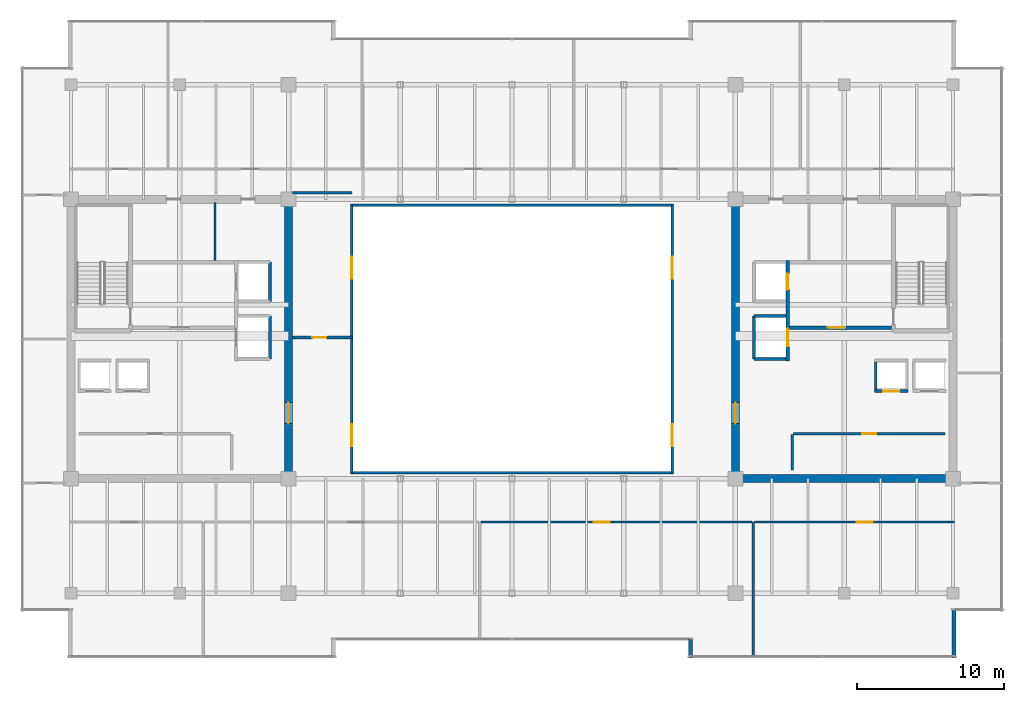
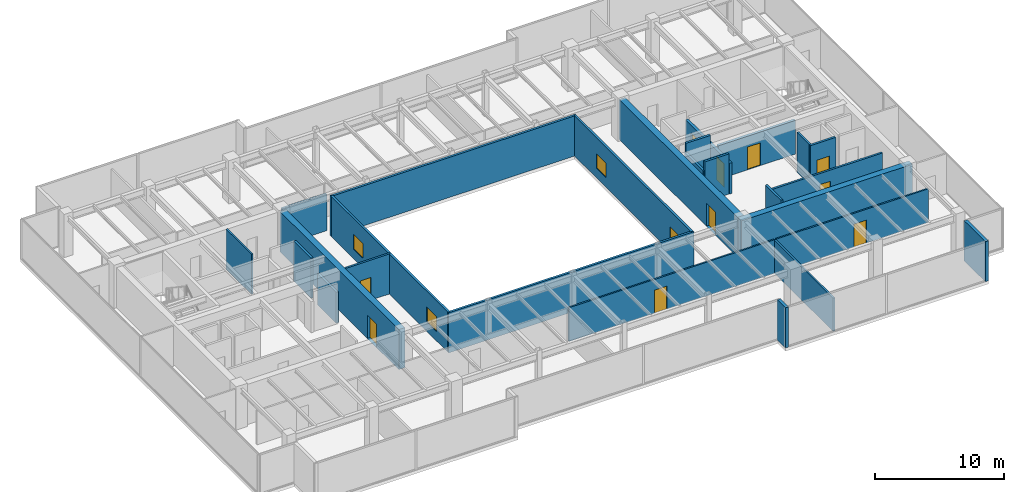
# One storey, part 29 of 33: 26 walls, 10 doors, 4 windows, 14 openings.
"""IFC4 building model written with IfcOpenShell, lengths in metres."""

from ifc_helpers import new_model, si_unit, direction, frame, frame_2d, origin, place, context, subcontext, project, spatial, rectangle, extrude, source, transform, mapped, material, layer, layer_set, type_object, type_shapes, element, fill, save


model = new_model("IFC4")

# Units and contexts
model_context = context("Model", 3, precision=1e-05, world=origin(), true_north=direction((0.0, 1.0)))
body_context = subcontext(model_context, "Body", "Model", "MODEL_VIEW")
ifc_project = project(units=[si_unit("LENGTHUNIT", "METRE"), si_unit("AREAUNIT", "SQUARE_METRE"), si_unit("VOLUMEUNIT", "CUBIC_METRE"), si_unit("PLANEANGLEUNIT", "RADIAN"), si_unit("MASSUNIT", "GRAM", prefix="KILO")], contexts=[model_context])

# Site, building, storey
site_placement = place(None, origin())
site = spatial("IfcSite", under=ifc_project, at=site_placement, CompositionType="ELEMENT")
building_placement = place(site_placement, origin())
building = spatial("IfcBuilding", under=site, at=building_placement, Name="Haelvirn Gate Laboratories", CompositionType="ELEMENT")
storey_placement = place(building_placement, frame((0.0, 0.0, 217.800048828125)))
storey = spatial("IfcBuildingStorey", under=building, at=storey_placement, Name="L52", CompositionType="ELEMENT", Elevation=217.800048828125)

# Walls
ifc_material_1 = material(Name="Thermally-broken bronze aluminium rainscreen & mineral wool", Category="aluminium")
ifc_layer_1 = layer(ifc_material_1, 0.280029296875, Name="EW-TERR-280")
ifc_layer_set_1 = layer_set([ifc_layer_1], Name="Thermally-broken bronze aluminium rainscreen & mineral wool")
wall_type_1 = type_object("IfcWallType", Name="EW-TERR-280", PredefinedType="STANDARD", material=ifc_layer_set_1)
wall_1_placement = place(storey_placement, frame((49.5400390625, 3.89306640625, 0.0), z_axis=(0.0, 0.0, 1.0), x_axis=(0.0, -1.0, 0.0)))
element("IfcWall", 1, at=wall_1_placement, inside=storey, type_object=wall_type_1, Name="L52 Atrium Recess Bronze Return Wall 03", PredefinedType="STANDARD", context=body_context, shape_type="SweptSolid", body=[
    extrude(rectangle(XDim=1.29296875, YDim=0.280029296875, at=frame_2d((0.646484375, 0.0))), origin(), (0.0, 0.0, 1.0), 3.800048828125),
])
wall_2_placement = place(storey_placement, frame((67.4599609375, 2.60009765625, 0.0), z_axis=(0.0, 0.0, 1.0), x_axis=(0.0, 1.0, 0.0)))
element("IfcWall", 2, at=wall_2_placement, inside=storey, type_object=wall_type_1, Name="L52 Atrium Recess Bronze Return Wall 05", PredefinedType="STANDARD", context=body_context, shape_type="SweptSolid", body=[
    extrude(rectangle(XDim=3.287841796875, YDim=0.280029296875, at=frame_2d((1.64404296875, 0.0))), origin(), (0.0, 0.0, 1.0), 3.800048828125),
])
ifc_material_2 = material(Name="Double-layer acoustic gypsum laboratory partition", Category="gypsum")
ifc_layer_2 = layer(ifc_material_2, 0.159912109375, Name="IW-ACOUST-160")
ifc_layer_set_2 = layer_set([ifc_layer_2], Name="Double-layer acoustic gypsum laboratory partition")
wall_type_2 = type_object("IfcWallType", Name="IW-ACOUST-160", PredefinedType="PARTITIONING", material=ifc_layer_set_2)
wall_3_placement = place(storey_placement, frame((53.800048828125, 2.7099609375, 0.0), z_axis=(0.0, 0.0, 1.0), x_axis=(0.0, 1.0, 0.0)))
element("IfcWall", 3, at=wall_3_placement, inside=storey, type_object=wall_type_2, Name="L52 Interior Wall IW-L52-SDIV-03", PredefinedType="PARTITIONING", context=body_context, shape_type="SweptSolid", body=[
    extrude(rectangle(XDim=9.130126953125, YDim=0.159912109375, at=frame_2d((4.56494140625, 0.0))), origin(), (0.0, 0.0, 1.0), 3.135009765625),
])
ifc_material_3 = material(Name="Fire-rated acoustic gypsum board partition", Category="gypsum")
ifc_layer_3 = layer(ifc_material_3, 0.175048828125, Name="IW-ACOUST-180")
ifc_layer_set_3 = layer_set([ifc_layer_3], Name="Fire-rated acoustic gypsum board partition")
wall_type_3 = type_object("IfcWallType", Name="IW-ACOUST-180", PredefinedType="PARTITIONING", material=ifc_layer_set_3)
wall_4_placement = place(storey_placement, frame((22.47509765625, 34.260009765625, 0.0), z_axis=(0.0, 0.0, 1.0), x_axis=(1.0, 0.0, 0.0)))
element("IfcWall", 4, at=wall_4_placement, inside=storey, type_object=wall_type_3, Name="L52 Interior Wall IW-L52-WPOD-N", PredefinedType="PARTITIONING", context=body_context, shape_type="SweptSolid", body=[
    extrude(rectangle(XDim=4.02490234375, YDim=0.175048828125, at=frame_2d((2.012451171875, 0.0))), origin(), (0.0, 0.0, 1.0), 3.48486328125),
])

# Wall, opening, door
wall_5_placement = place(storey_placement, frame((22.47509765625, 24.39990234375, 0.0), z_axis=(0.0, 0.0, 1.0), x_axis=(1.0, 0.0, 0.0)))
wall_5 = element("IfcWall", 5, at=wall_5_placement, inside=storey, type_object=wall_type_3, Name="L52 Interior Wall IW-L52-WPOD-S", PredefinedType="PARTITIONING", context=body_context, shape_type="SweptSolid", body=[
    extrude(rectangle(XDim=4.02490234375, YDim=0.175048828125, at=frame_2d((2.012451171875, 0.0))), origin(), (0.0, 0.0, 1.0), 3.800048828125),
])
opening_1_placement = place(wall_5_placement, frame((1.35009765625, 0.0, 0.0)))
opening_1 = element("IfcOpeningElement", 6, at=opening_1_placement, cuts=wall_5, Name="Opening FD4", PredefinedType="OPENING", context=body_context, shape_type="SweptSolid", body=[
    extrude(rectangle(XDim=0.949951171875, YDim=2.14990234375, at=frame_2d((0.47509765625, 1.074951171875))), frame((0.0, 0.09765625, 0.0), z_axis=(0.0, -1.0, 0.0), x_axis=(1.0, 0.0, 0.0)), (0.0, 0.0, 1.0), 0.195068359375),
])
ifc_material_4 = material(Name="Fire-rated steel SM355 core service door", Category="steel")
door_type_1 = type_object("IfcDoorType", Name="DR-FD-950", OperationType="NOTDEFINED", PredefinedType="DOOR", material=ifc_material_4)
shared_shape_1 = source(origin(), body_context, "Body", "SweptSolid", [
    extrude(rectangle(XDim=0.949951171875, YDim=2.14990234375, at=frame_2d((0.47509765625, 1.074951171875))), frame((0.0, 0.02490234375, 0.0), z_axis=(0.0, -1.0, 0.0), x_axis=(1.0, 0.0, 0.0)), (0.0, 0.0, 1.0), 0.050048828125),
])
type_shapes(door_type_1, [shared_shape_1])
door_1_placement = place(opening_1_placement, origin())
door_1 = element("IfcDoor", 7, at=door_1_placement, inside=storey, type_object=door_type_1, Name="L52 High-Zone Computational Suite Door", OperationType="SINGLE_SWING_RIGHT", OverallHeight=2.14990234375, OverallWidth=0.949951171875, PredefinedType="DOOR", context=body_context, shape_type="MappedRepresentation", body=[
    mapped(shared_shape_1, transform((0.0, 0.0, 0.0), scale=1.0)),
])
fill(opening_1, door_1)

# Wall, openings, windows
ifc_material_5 = material(Name="Tempered fire-rated borosilicate glass & anodised aluminium", Category="aluminium")
ifc_layer_4 = layer(ifc_material_5, 0.195068359375, Name="IW-GLAZ-200")
ifc_layer_set_4 = layer_set([ifc_layer_4], Name="Tempered fire-rated borosilicate glass & anodised aluminium")
wall_type_4 = type_object("IfcWallType", Name="IW-GLAZ-200", PredefinedType="SOLIDWALL", material=ifc_layer_set_4)
wall_6_placement = place(storey_placement, frame((26.5, 15.199951171875, 0.0), z_axis=(0.0, 0.0, 1.0), x_axis=(0.0, 1.0, 0.0)))
wall_6 = element("IfcWall", 8, at=wall_6_placement, inside=storey, type_object=wall_type_4, Name="L52 Interior Wall IW-L52-ATRIUM-W", PredefinedType="SOLIDWALL", context=body_context, shape_type="SweptSolid", body=[
    extrude(rectangle(XDim=18.199951171875, YDim=0.195068359375, at=frame_2d((9.10009765625, 0.0))), origin(), (0.0, 0.0, 1.0), 3.800048828125),
])
opening_2_placement = place(wall_6_placement, frame((1.800048828125, 0.0, 0.89990234375)))
opening_2 = element("IfcOpeningElement", 9, at=opening_2_placement, cuts=wall_6, Name="Opening W5", PredefinedType="OPENING", context=body_context, shape_type="SweptSolid", body=[
    extrude(rectangle(XDim=1.5, YDim=1.39990234375, at=frame_2d((0.75, 0.699951171875))), frame((0.0, 0.107421875, 0.0), z_axis=(0.0, -1.0, 0.0), x_axis=(1.0, 0.0, 0.0)), (0.0, 0.0, 1.0), 0.215087890625),
])
opening_3_placement = place(wall_6_placement, frame((13.199951171875, 0.0, 0.89990234375)))
opening_3 = element("IfcOpeningElement", 10, at=opening_3_placement, cuts=wall_6, Name="Opening W5", PredefinedType="OPENING", context=body_context, shape_type="SweptSolid", body=[
    extrude(rectangle(XDim=1.5, YDim=1.39990234375, at=frame_2d((0.75, 0.699951171875))), frame((0.0, 0.107421875, 0.0), z_axis=(0.0, -1.0, 0.0), x_axis=(1.0, 0.0, 0.0)), (0.0, 0.0, 1.0), 0.215087890625),
])
ifc_material_6 = material(Name="Fire-rated EI 120 borosilicate atrium vision glazing", Category="glass")
window_type = type_object("IfcWindowType", Name="WN-ATR-1500", PartitioningType="SINGLE_PANEL", PredefinedType="WINDOW", material=ifc_material_6)
shared_shape_2 = source(origin(), body_context, "Body", "SweptSolid", [
    extrude(rectangle(XDim=1.5, YDim=1.39990234375, at=frame_2d((0.75, 0.699951171875))), frame((0.0, 0.030029296875, 0.0), z_axis=(0.0, -1.0, 0.0), x_axis=(1.0, 0.0, 0.0)), (0.0, 0.0, 1.0), 0.06005859375),
])
type_shapes(window_type, [shared_shape_2])
window_1_placement = place(opening_2_placement, origin())
window_1 = element("IfcWindow", 11, at=window_1_placement, inside=storey, type_object=window_type, Name="L52 Atrium Observation Window 1", OverallHeight=1.39990234375, OverallWidth=1.5, PartitioningType="SINGLE_PANEL", PredefinedType="WINDOW", context=body_context, shape_type="MappedRepresentation", body=[
    mapped(shared_shape_2, transform((0.0, 0.0, 0.0), scale=1.0)),
])
fill(opening_2, window_1)
window_2_placement = place(opening_3_placement, origin())
window_2 = element("IfcWindow", 12, at=window_2_placement, inside=storey, type_object=window_type, Name="L52 Atrium Observation Window 2", OverallHeight=1.39990234375, OverallWidth=1.5, PartitioningType="SINGLE_PANEL", PredefinedType="WINDOW", context=body_context, shape_type="MappedRepresentation", body=[
    mapped(shared_shape_2, transform((0.0, 0.0, 0.0), scale=1.0)),
])
fill(opening_3, window_2)

wall_7_placement = place(storey_placement, frame((48.300048828125, 15.199951171875, 0.0), z_axis=(0.0, 0.0, 1.0), x_axis=(0.0, 1.0, 0.0)))
wall_7 = element("IfcWall", 13, at=wall_7_placement, inside=storey, type_object=wall_type_4, Name="L52 Interior Wall IW-L52-ATRIUM-E", PredefinedType="SOLIDWALL", context=body_context, shape_type="SweptSolid", body=[
    extrude(rectangle(XDim=18.199951171875, YDim=0.195068359375, at=frame_2d((9.10009765625, 0.0))), origin(), (0.0, 0.0, 1.0), 3.800048828125),
])
opening_4_placement = place(wall_7_placement, frame((1.800048828125, 0.0, 0.89990234375)))
opening_4 = element("IfcOpeningElement", 14, at=opening_4_placement, cuts=wall_7, Name="Opening W5", PredefinedType="OPENING", context=body_context, shape_type="SweptSolid", body=[
    extrude(rectangle(XDim=1.5, YDim=1.39990234375, at=frame_2d((0.75, 0.699951171875))), frame((0.0, 0.107421875, 0.0), z_axis=(0.0, -1.0, 0.0), x_axis=(1.0, 0.0, 0.0)), (0.0, 0.0, 1.0), 0.215087890625),
])
opening_5_placement = place(wall_7_placement, frame((13.199951171875, 0.0, 0.89990234375)))
opening_5 = element("IfcOpeningElement", 15, at=opening_5_placement, cuts=wall_7, Name="Opening W5", PredefinedType="OPENING", context=body_context, shape_type="SweptSolid", body=[
    extrude(rectangle(XDim=1.5, YDim=1.39990234375, at=frame_2d((0.75, 0.699951171875))), frame((0.0, 0.107421875, 0.0), z_axis=(0.0, -1.0, 0.0), x_axis=(1.0, 0.0, 0.0)), (0.0, 0.0, 1.0), 0.215087890625),
])
window_3_placement = place(opening_4_placement, origin())
window_3 = element("IfcWindow", 16, at=window_3_placement, inside=storey, type_object=window_type, Name="L52 Atrium Observation Window 1", OverallHeight=1.39990234375, OverallWidth=1.5, PartitioningType="SINGLE_PANEL", PredefinedType="WINDOW", context=body_context, shape_type="MappedRepresentation", body=[
    mapped(shared_shape_2, transform((0.0, 0.0, 0.0), scale=1.0)),
])
fill(opening_4, window_3)
window_4_placement = place(opening_5_placement, origin())
window_4 = element("IfcWindow", 17, at=window_4_placement, inside=storey, type_object=window_type, Name="L52 Atrium Observation Window 2", OverallHeight=1.39990234375, OverallWidth=1.5, PartitioningType="SINGLE_PANEL", PredefinedType="WINDOW", context=body_context, shape_type="MappedRepresentation", body=[
    mapped(shared_shape_2, transform((0.0, 0.0, 0.0), scale=1.0)),
])
fill(opening_5, window_4)

# Walls
for number, where, z_axis, x_axis, name in (
    (18, (26.39990234375, 15.199951171875, 0.0), (0.0, 0.0, 1.0), (1.0, 0.0, 0.0), "L52 Interior Wall IW-L52-ATRIUM-S"),
    (19, (26.39990234375, 33.39990234375, 0.0), (0.0, 0.0, 1.0), (1.0, 0.0, 0.0), "L52 Interior Wall IW-L52-ATRIUM-N"),
):
    element("IfcWall", number, at=place(storey_placement, frame(where, z_axis=z_axis, x_axis=x_axis)), inside=storey, type_object=wall_type_4, Name=name, PredefinedType="SOLIDWALL", context=body_context, shape_type="SweptSolid", body=[
        extrude(rectangle(XDim=22.0, YDim=0.195068359375, at=frame_2d((11.0, 0.0))), origin(), (0.0, 0.0, 1.0), 3.800048828125),
    ])

# Wall, opening, door
ifc_material_7 = material(Name="Acoustic mineral-wool gypsum board partition", Category="gypsum")
ifc_layer_5 = layer(ifc_material_7, 0.139892578125, Name="IW-PART-140")
ifc_layer_set_5 = layer_set([ifc_layer_5], Name="Acoustic mineral-wool gypsum board partition")
wall_type_5 = type_object("IfcWallType", Name="IW-PART-140", PredefinedType="PARTITIONING", material=ifc_layer_set_5)
wall_8_placement = place(storey_placement, frame((35.280029296875, 11.840087890625, 0.0), z_axis=(0.0, 0.0, 1.0), x_axis=(1.0, 0.0, 0.0)))
wall_8 = element("IfcWall", 20, at=wall_8_placement, inside=storey, type_object=wall_type_5, Name="L52 Interior Wall IW-L52-SCORR-03", PredefinedType="PARTITIONING", context=body_context, shape_type="SweptSolid", body=[
    extrude(rectangle(XDim=18.43994140625, YDim=0.139892578125, at=frame_2d((9.219970703125, 0.0))), origin(), (0.0, 0.0, 1.0), 3.197021484375),
])
opening_6_placement = place(wall_8_placement, frame((7.671630859375, 0.0, 0.0)))
opening_6 = element("IfcOpeningElement", 21, at=opening_6_placement, cuts=wall_8, Name="Opening D1", PredefinedType="OPENING", context=body_context, shape_type="SweptSolid", body=[
    extrude(rectangle(XDim=1.10009765625, YDim=2.179931640625, at=frame_2d((0.550048828125, 1.08984375))), frame((0.0, 0.080078125, 0.0), z_axis=(0.0, -1.0, 0.0), x_axis=(1.0, 0.0, 0.0)), (0.0, 0.0, 1.0), 0.159912109375),
])
ifc_material_8 = material(Name="Vision-panel acoustic solid-core timber lab door", Category="wood")
door_type_2 = type_object("IfcDoorType", Name="DR-LAB-1100", OperationType="NOTDEFINED", PredefinedType="DOOR", material=ifc_material_8)
shared_shape_3 = source(origin(), body_context, "Body", "SweptSolid", [
    extrude(rectangle(XDim=1.10009765625, YDim=2.179931640625, at=frame_2d((0.550048828125, 1.08984375))), frame((0.0, 0.02490234375, 0.0), z_axis=(0.0, -1.0, 0.0), x_axis=(1.0, 0.0, 0.0)), (0.0, 0.0, 1.0), 0.050048828125),
])
type_shapes(door_type_2, [shared_shape_3])
door_2_placement = place(opening_6_placement, origin())
door_2 = element("IfcDoor", 22, at=door_2_placement, inside=storey, type_object=door_type_2, Name="L52 Peer-Review Seminar Room Door S3", OperationType="SINGLE_SWING_LEFT", OverallHeight=2.179931640625, OverallWidth=1.10009765625, PredefinedType="DOOR", context=body_context, shape_type="MappedRepresentation", body=[
    mapped(shared_shape_3, transform((0.0, 0.0, 0.0), scale=1.0)),
])
fill(opening_6, door_2)

wall_9_placement = place(storey_placement, frame((53.8798828125, 11.840087890625, 0.0), z_axis=(0.0, 0.0, 1.0), x_axis=(1.0, 0.0, 0.0)))
wall_9 = element("IfcWall", 23, at=wall_9_placement, inside=storey, type_object=wall_type_5, Name="L52 Interior Wall IW-L52-SCORR-04", PredefinedType="PARTITIONING", context=body_context, shape_type="SweptSolid", body=[
    extrude(rectangle(XDim=13.610107421875, YDim=0.139892578125, at=frame_2d((6.80517578125, 0.0))), origin(), (0.0, 0.0, 1.0), 3.197021484375),
])
opening_7_placement = place(wall_9_placement, frame((6.963623046875, 0.0, 0.0)))
opening_7 = element("IfcOpeningElement", 24, at=opening_7_placement, cuts=wall_9, Name="Opening D1", PredefinedType="OPENING", context=body_context, shape_type="SweptSolid", body=[
    extrude(rectangle(XDim=1.10009765625, YDim=2.179931640625, at=frame_2d((0.550048828125, 1.08984375))), frame((0.0, 0.080078125, 0.0), z_axis=(0.0, -1.0, 0.0), x_axis=(1.0, 0.0, 0.0)), (0.0, 0.0, 1.0), 0.159912109375),
])
door_3_placement = place(opening_7_placement, origin())
door_3 = element("IfcDoor", 25, at=door_3_placement, inside=storey, type_object=door_type_2, Name="L52 Colloquium Conference Room Door S4", OperationType="SINGLE_SWING_RIGHT", OverallHeight=2.179931640625, OverallWidth=1.10009765625, PredefinedType="DOOR", context=body_context, shape_type="MappedRepresentation", body=[
    mapped(shared_shape_3, transform((0.0, 0.0, 0.0), scale=1.0)),
])
fill(opening_7, door_3)

# Walls
ifc_material_9 = material(Name="Cement-board restroom plumbing chase wall", Category="gypsum")
ifc_layer_6 = layer(ifc_material_9, 0.155029296875, Name="IW-PLUMB-160")
ifc_layer_set_6 = layer_set([ifc_layer_6], Name="Cement-board restroom plumbing chase wall")
wall_type_6 = type_object("IfcWallType", Name="IW-PLUMB-160", PredefinedType="PLUMBINGWALL", material=ifc_layer_set_6)
wall_10_placement = place(storey_placement, frame((17.18994140625, 29.64990234375, 0.0), z_axis=(0.0, 0.0, 1.0), x_axis=(0.0, 1.0, 0.0)))
element("IfcWall", 26, at=wall_10_placement, inside=storey, type_object=wall_type_6, Name="L52 Interior Wall IW-L52-W-CDIV-1", PredefinedType="PLUMBINGWALL", context=body_context, shape_type="SweptSolid", body=[
    extrude(rectangle(XDim=3.93017578125, YDim=0.155029296875, at=frame_2d((1.965087890625, 0.0))), origin(), (0.0, 0.0, 1.0), 3.800048828125),
])
ifc_material_10 = material(Name="Concrete C40/50", Category="concrete")
ifc_layer_7 = layer(ifc_material_10, 0.179931640625, Name="IW-SHAFT-180")
ifc_layer_set_7 = layer_set([ifc_layer_7], Name="Concrete C40/50")
wall_type_7 = type_object("IfcWallType", Name="IW-SHAFT-180", PredefinedType="SOLIDWALL", material=ifc_layer_set_7)
wall_11_placement = place(storey_placement, frame((62.14990234375, 20.85009765625, 0.0), z_axis=(0.0, 0.0, 1.0), x_axis=(0.0, 1.0, 0.0)))
element("IfcWall", 27, at=wall_11_placement, inside=storey, type_object=wall_type_7, Name="L52 Interior Wall IW-L52-PL12-SD", PredefinedType="SOLIDWALL", context=body_context, shape_type="SweptSolid", body=[
    extrude(rectangle(XDim=1.89990234375, YDim=0.179931640625, at=frame_2d((0.949951171875, 0.0))), origin(), (0.0, 0.0, 1.0), 3.800048828125),
])

# Wall, opening, door
wall_12_placement = place(storey_placement, frame((56.550048828125, 17.85009765625, 0.0), z_axis=(0.0, 0.0, 1.0), x_axis=(1.0, 0.0, 0.0)))
wall_12 = element("IfcWall", 28, at=wall_12_placement, inside=storey, type_object=wall_type_7, Name="L52 Interior Wall IW-L52-E-FREED-HN-1", PredefinedType="SOLIDWALL", context=body_context, shape_type="SweptSolid", body=[
    extrude(rectangle(XDim=10.300048828125, YDim=0.179931640625, at=frame_2d((5.14990234375, 0.0))), origin(), (0.0, 0.0, 1.0), 3.197021484375),
])
opening_8_placement = place(wall_12_placement, frame((4.675048828125, 0.0, 0.0)))
opening_8 = element("IfcOpeningElement", 29, at=opening_8_placement, cuts=wall_12, Name="Opening FD4", PredefinedType="OPENING", context=body_context, shape_type="SweptSolid", body=[
    extrude(rectangle(XDim=0.949951171875, YDim=2.14990234375, at=frame_2d((0.47509765625, 1.074951171875))), frame((0.0, 0.10009765625, 0.0), z_axis=(0.0, -1.0, 0.0), x_axis=(1.0, 0.0, 0.0)), (0.0, 0.0, 1.0), 0.199951171875),
])
door_4_placement = place(opening_8_placement, origin())
door_4 = element("IfcDoor", 30, at=door_4_placement, inside=storey, type_object=door_type_1, Name="L52 High-Zone Cryogenic Biobank Vault Door", OperationType="SINGLE_SWING_LEFT", OverallHeight=2.14990234375, OverallWidth=0.949951171875, PredefinedType="DOOR", context=body_context, shape_type="MappedRepresentation", body=[
    mapped(shared_shape_1, transform((0.0, 0.0, 0.0), scale=1.0)),
])
fill(opening_8, door_4)

# Walls
wall_13_placement = place(storey_placement, frame((56.4599609375, 15.39990234375, 0.0), z_axis=(0.0, 0.0, 1.0), x_axis=(0.0, 1.0, 0.0)))
element("IfcWall", 31, at=wall_13_placement, inside=storey, type_object=wall_type_7, Name="L52 Interior Wall IW-L52-E-FREED-HE-1", PredefinedType="SOLIDWALL", context=body_context, shape_type="SweptSolid", body=[
    extrude(rectangle(XDim=2.400146484375, YDim=0.179931640625, at=frame_2d((1.2001953125, 0.0))), origin(), (0.0, 0.0, 1.0), 3.800048828125),
])
ifc_layer_8 = layer(ifc_material_10, 0.199951171875, Name="IW-SHAFT-200")
ifc_layer_set_8 = layer_set([ifc_layer_8], Name="Concrete C40/50")
wall_type_8 = type_object("IfcWallType", Name="IW-SHAFT-200", PredefinedType="SOLIDWALL", material=ifc_layer_set_8)
wall_14_placement = place(storey_placement, frame((20.949951171875, 26.85009765625, 0.0), z_axis=(0.0, 0.0, 1.0), x_axis=(0.0, 1.0, 0.0)))
element("IfcWall", 32, at=wall_14_placement, inside=storey, type_object=wall_type_8, Name="L52 Interior Wall IW-L52-FL1-BK", PredefinedType="SOLIDWALL", context=body_context, shape_type="SweptSolid", body=[
    extrude(rectangle(XDim=2.699951171875, YDim=0.199951171875, at=frame_2d((1.35009765625, 0.0))), origin(), (0.0, 0.0, 1.0), 3.800048828125),
])
wall_15_placement = place(storey_placement, frame((20.949951171875, 22.949951171875, 0.0), z_axis=(0.0, 0.0, 1.0), x_axis=(0.0, 1.0, 0.0)))
element("IfcWall", 33, at=wall_15_placement, inside=storey, type_object=wall_type_8, Name="L52 Interior Wall IW-L52-SL1-BK", PredefinedType="SOLIDWALL", context=body_context, shape_type="SweptSolid", body=[
    extrude(rectangle(XDim=2.900146484375, YDim=0.199951171875, at=frame_2d((1.4501953125, 0.0))), origin(), (0.0, 0.0, 1.0), 2.93505859375),
])

# Wall, opening, door
wall_16_placement = place(storey_placement, frame((62.070068359375, 20.75, 0.0), z_axis=(0.0, 0.0, 1.0), x_axis=(1.0, 0.0, 0.0)))
wall_16 = element("IfcWall", 34, at=wall_16_placement, inside=storey, type_object=wall_type_8, Name="L52 Interior Wall IW-L52-PL12-FR", PredefinedType="SOLIDWALL", context=body_context, shape_type="SweptSolid", body=[
    extrude(rectangle(XDim=2.260009765625, YDim=0.199951171875, at=frame_2d((1.1298828125, 0.0))), origin(), (0.0, 0.0, 1.0), 3.800048828125),
])
opening_9_placement = place(wall_16_placement, frame((0.580078125, 0.0, 0.0)))
opening_9 = element("IfcOpeningElement", 35, at=opening_9_placement, cuts=wall_16, Name="Opening LD2", PredefinedType="OPENING", context=body_context, shape_type="SweptSolid", body=[
    extrude(rectangle(XDim=1.10009765625, YDim=2.219970703125, at=frame_2d((0.550048828125, 1.10986328125))), frame((0.0, 0.10986328125, 0.0), z_axis=(0.0, -1.0, 0.0), x_axis=(1.0, 0.0, 0.0)), (0.0, 0.0, 1.0), 0.219970703125),
])
ifc_material_11 = material(Name="Bronze stainless 316L sliding lift landing door")
door_type_3 = type_object("IfcDoorType", Name="DR-LD-1100", OperationType="NOTDEFINED", PredefinedType="USERDEFINED", material=ifc_material_11)
shared_shape_4 = source(origin(), body_context, "Body", "SweptSolid", [
    extrude(rectangle(XDim=1.10009765625, YDim=2.219970703125, at=frame_2d((0.550048828125, 1.10986328125))), frame((0.0, 0.02490234375, 0.0), z_axis=(0.0, -1.0, 0.0), x_axis=(1.0, 0.0, 0.0)), (0.0, 0.0, 1.0), 0.050048828125),
])
type_shapes(door_type_3, [shared_shape_4])
door_5_placement = place(opening_9_placement, origin())
door_5 = element("IfcDoor", 36, at=door_5_placement, inside=storey, type_object=door_type_3, Name="L52 Passenger Lift PL12 Landing Door", ObjectType="LANDING_DOOR", OperationType="SLIDING_TO_RIGHT", OverallHeight=2.219970703125, OverallWidth=1.10009765625, PredefinedType="USERDEFINED", context=body_context, shape_type="MappedRepresentation", body=[
    mapped(shared_shape_4, transform((0.0, 0.0, 0.0), scale=1.0)),
])
fill(opening_9, door_5)

# Walls
wall_17_placement = place(storey_placement, frame((53.85009765625, 22.949951171875, 0.0), z_axis=(0.0, 0.0, 1.0), x_axis=(0.0, 1.0, 0.0)))
element("IfcWall", 37, at=wall_17_placement, inside=storey, type_object=wall_type_8, Name="L52 Interior Wall IW-L52-SL2-BK", PredefinedType="SOLIDWALL", context=body_context, shape_type="SweptSolid", body=[
    extrude(rectangle(XDim=2.900146484375, YDim=0.199951171875, at=frame_2d((1.4501953125, 0.0))), origin(), (0.0, 0.0, 1.0), 2.93505859375),
])
for number, where, z_axis, x_axis, name in (
    (38, (53.85009765625, 25.85009765625, 0.0), (0.0, 0.0, 1.0), (1.0, 0.0, 0.0), "L52 Interior Wall IW-L52-SL2-N"),
    (39, (53.85009765625, 22.949951171875, 0.0), (0.0, 0.0, 1.0), (1.0, 0.0, 0.0), "L52 Interior Wall IW-L52-SL2-S"),
):
    element("IfcWall", number, at=place(storey_placement, frame(where, z_axis=z_axis, x_axis=x_axis)), inside=storey, type_object=wall_type_8, Name=name, PredefinedType="SOLIDWALL", context=body_context, shape_type="SweptSolid", body=[
        extrude(rectangle(XDim=2.18994140625, YDim=0.199951171875, at=frame_2d((1.094970703125, 0.0))), origin(), (0.0, 0.0, 1.0), 3.800048828125),
    ])

# Wall, opening, door
ifc_layer_9 = layer(ifc_material_10, 0.239990234375, Name="IW-SHAFT-240")
ifc_layer_set_9 = layer_set([ifc_layer_9], Name="Concrete C40/50")
wall_type_9 = type_object("IfcWallType", Name="IW-SHAFT-240", PredefinedType="SOLIDWALL", material=ifc_layer_set_9)
wall_18_placement = place(storey_placement, frame((56.280029296875, 25.080078125, 0.0), z_axis=(0.0, 0.0, 1.0), x_axis=(1.0, 0.0, 0.0)))
wall_18 = element("IfcWall", 40, at=wall_18_placement, inside=storey, type_object=wall_type_9, Name="L52 Interior Wall IW-L52-E-FF-S", PredefinedType="SOLIDWALL", context=body_context, shape_type="SweptSolid", body=[
    extrude(rectangle(XDim=6.919921875, YDim=0.239990234375, at=frame_2d((3.4599609375, 0.0))), origin(), (0.0, 0.0, 1.0), 3.197021484375),
])
opening_10_placement = place(wall_18_placement, frame((2.60009765625, 0.0, 0.0)))
opening_10 = element("IfcOpeningElement", 41, at=opening_10_placement, cuts=wall_18, Name="Opening FD2", PredefinedType="OPENING", context=body_context, shape_type="SweptSolid", body=[
    extrude(rectangle(XDim=1.199951171875, YDim=2.159912109375, at=frame_2d((0.60009765625, 1.080078125))), frame((0.0, 0.1298828125, 0.0), z_axis=(0.0, -1.0, 0.0), x_axis=(1.0, 0.0, 0.0)), (0.0, 0.0, 1.0), 0.260009765625),
])
ifc_material_12 = material(Name="Fire-rated steel SM355 compartment door", Category="steel")
door_type_4 = type_object("IfcDoorType", Name="DR-FD-1200", OperationType="NOTDEFINED", PredefinedType="DOOR", material=ifc_material_12)
shared_shape_5 = source(origin(), body_context, "Body", "SweptSolid", [
    extrude(rectangle(XDim=1.199951171875, YDim=2.159912109375, at=frame_2d((0.60009765625, 1.080078125))), frame((0.0, 0.02490234375, 0.0), z_axis=(0.0, -1.0, 0.0), x_axis=(1.0, 0.0, 0.0)), (0.0, 0.0, 1.0), 0.050048828125),
])
type_shapes(door_type_4, [shared_shape_5])
door_6_placement = place(opening_10_placement, origin())
door_6 = element("IfcDoor", 42, at=door_6_placement, inside=storey, type_object=door_type_4, Name="L52 East Firefighting Lobby Door", OperationType="SINGLE_SWING_LEFT", OverallHeight=2.159912109375, OverallWidth=1.199951171875, PredefinedType="DOOR", context=body_context, shape_type="MappedRepresentation", body=[
    mapped(shared_shape_5, transform((0.0, 0.0, 0.0), scale=1.0)),
])
fill(opening_10, door_6)

# Wall, openings, doors
wall_19_placement = place(storey_placement, frame((56.159912109375, 22.800048828125, 0.0), z_axis=(0.0, 0.0, 1.0), x_axis=(0.0, 1.0, 0.0)))
wall_19 = element("IfcWall", 43, at=wall_19_placement, inside=storey, type_object=wall_type_9, Name="L52 Interior Wall IW-L52-E-FF-E", PredefinedType="SOLIDWALL", context=body_context, shape_type="SweptSolid", body=[
    extrude(rectangle(XDim=6.849853515625, YDim=0.239990234375, at=frame_2d((3.4248046875, 0.0))), origin(), (0.0, 0.0, 1.0), 2.93505859375),
])
opening_11_placement = place(wall_19_placement, frame((4.85009765625, 0.0, 0.0)))
opening_11 = element("IfcOpeningElement", 44, at=opening_11_placement, cuts=wall_19, Name="Opening LD2", PredefinedType="OPENING", context=body_context, shape_type="SweptSolid", body=[
    extrude(rectangle(XDim=1.10009765625, YDim=2.219970703125, at=frame_2d((0.550048828125, 1.10986328125))), frame((0.0, 0.1298828125, 0.0), z_axis=(0.0, -1.0, 0.0), x_axis=(1.0, 0.0, 0.0)), (0.0, 0.0, 1.0), 0.260009765625),
])
opening_12_placement = place(wall_19_placement, frame((1.0, 0.0, 0.0)))
opening_12 = element("IfcOpeningElement", 45, at=opening_12_placement, cuts=wall_19, Name="Opening LD1", PredefinedType="OPENING", context=body_context, shape_type="SweptSolid", body=[
    extrude(rectangle(XDim=1.199951171875, YDim=2.219970703125, at=frame_2d((0.60009765625, 1.10986328125))), frame((0.0, 0.1298828125, 0.0), z_axis=(0.0, -1.0, 0.0), x_axis=(1.0, 0.0, 0.0)), (0.0, 0.0, 1.0), 0.260009765625),
])
door_7_placement = place(opening_11_placement, origin())
door_7 = element("IfcDoor", 46, at=door_7_placement, inside=storey, type_object=door_type_3, Name="L52 Firefighting Lift FL2 Landing Door", ObjectType="LANDING_DOOR", OperationType="SLIDING_TO_RIGHT", OverallHeight=2.219970703125, OverallWidth=1.10009765625, PredefinedType="USERDEFINED", context=body_context, shape_type="MappedRepresentation", body=[
    mapped(shared_shape_4, transform((0.0, 0.0, 0.0), scale=1.0)),
])
fill(opening_11, door_7)
ifc_material_13 = material(Name="Stainless steel 316L sliding goods landing door", Category="steel")
door_type_5 = type_object("IfcDoorType", Name="DR-LD-1200", OperationType="NOTDEFINED", PredefinedType="USERDEFINED", material=ifc_material_13)
shared_shape_6 = source(origin(), body_context, "Body", "SweptSolid", [
    extrude(rectangle(XDim=1.199951171875, YDim=2.219970703125, at=frame_2d((0.60009765625, 1.10986328125))), frame((0.0, 0.02490234375, 0.0), z_axis=(0.0, -1.0, 0.0), x_axis=(1.0, 0.0, 0.0)), (0.0, 0.0, 1.0), 0.050048828125),
])
type_shapes(door_type_5, [shared_shape_6])
door_8_placement = place(opening_12_placement, origin())
door_8 = element("IfcDoor", 47, at=door_8_placement, inside=storey, type_object=door_type_5, Name="L52 Service Lift SL2 Landing Door", ObjectType="LANDING_DOOR", OperationType="SLIDING_TO_LEFT", OverallHeight=2.219970703125, OverallWidth=1.199951171875, PredefinedType="USERDEFINED", context=body_context, shape_type="MappedRepresentation", body=[
    mapped(shared_shape_6, transform((0.0, 0.0, 0.0), scale=1.0)),
])
fill(opening_12, door_8)

# Wall, opening, door
ifc_material_14 = material(Name="Concrete C50/60", Category="concrete")
ifc_layer_10 = layer(ifc_material_14, 0.550048828125, Name="SW-CORE-550")
ifc_layer_set_10 = layer_set([ifc_layer_10], Name="Concrete C50/60")
wall_type_10 = type_object("IfcWallType", Name="SW-CORE-550", PredefinedType="SHEAR", material=ifc_layer_set_10)
wall_20_placement = place(storey_placement, frame((22.199951171875, 15.074951171875, 0.0), z_axis=(0.0, 0.0, 1.0), x_axis=(0.0, 1.0, 0.0)))
wall_20 = element("IfcWall", 48, at=wall_20_placement, inside=storey, type_object=wall_type_10, Name="L52 W Core Shear Wall E", PredefinedType="SHEAR", context=body_context, shape_type="SweptSolid", body=[
    extrude(rectangle(XDim=18.449951171875, YDim=0.550048828125, at=frame_2d((9.22509765625, 0.0))), origin(), (0.0, 0.0, 1.0), 3.800048828125),
])
opening_13_placement = place(wall_20_placement, frame((3.47509765625, 0.0, 0.0)))
opening_13 = element("IfcOpeningElement", 49, at=opening_13_placement, cuts=wall_20, Name="Opening FD1", PredefinedType="OPENING", context=body_context, shape_type="SweptSolid", body=[
    extrude(rectangle(XDim=1.419921875, YDim=2.199951171875, at=frame_2d((0.7099609375, 1.10009765625))), frame((0.0, 0.28515625, 0.0), z_axis=(0.0, -1.0, 0.0), x_axis=(1.0, 0.0, 0.0)), (0.0, 0.0, 1.0), 0.570068359375),
])
ifc_material_15 = material(Name="Fire-rated double steel SM355 lobby door", Category="steel")
door_type_6 = type_object("IfcDoorType", Name="DR-FD-1400", OperationType="NOTDEFINED", PredefinedType="DOOR", material=ifc_material_15)
shared_shape_7 = source(origin(), body_context, "Body", "SweptSolid", [
    extrude(rectangle(XDim=1.419921875, YDim=2.199951171875, at=frame_2d((0.7099609375, 1.10009765625))), frame((0.0, 0.02490234375, 0.0), z_axis=(0.0, -1.0, 0.0), x_axis=(1.0, 0.0, 0.0)), (0.0, 0.0, 1.0), 0.050048828125),
])
type_shapes(door_type_6, [shared_shape_7])
door_9_placement = place(opening_13_placement, origin())
door_9 = element("IfcDoor", 50, at=door_9_placement, inside=storey, type_object=door_type_6, Name="L52 West Core Lift Lobby Fire Door", OperationType="DOUBLE_DOOR_SINGLE_SWING", OverallHeight=2.199951171875, OverallWidth=1.419921875, PredefinedType="DOOR", context=body_context, shape_type="MappedRepresentation", body=[
    mapped(shared_shape_7, transform((0.0, 0.0, 0.0), scale=1.0)),
])
fill(opening_13, door_9)

# Wall
wall_21_placement = place(storey_placement, frame((52.324951171875, 14.800048828125, 0.0), z_axis=(0.0, 0.0, 1.0), x_axis=(1.0, 0.0, 0.0)))
element("IfcWall", 51, at=wall_21_placement, inside=storey, type_object=wall_type_10, Name="L52 E Core Shear Wall S", PredefinedType="SHEAR", context=body_context, shape_type="SweptSolid", body=[
    extrude(rectangle(XDim=15.35009765625, YDim=0.550048828125, at=frame_2d((7.675048828125, 0.0))), origin(), (0.0, 0.0, 1.0), 3.800048828125),
])

# Wall, opening, door
wall_22_placement = place(storey_placement, frame((52.60009765625, 15.074951171875, 0.0), z_axis=(0.0, 0.0, 1.0), x_axis=(0.0, 1.0, 0.0)))
wall_22 = element("IfcWall", 52, at=wall_22_placement, inside=storey, type_object=wall_type_10, Name="L52 E Core Shear Wall W", PredefinedType="SHEAR", context=body_context, shape_type="SweptSolid", body=[
    extrude(rectangle(XDim=18.449951171875, YDim=0.550048828125, at=frame_2d((9.22509765625, 0.0))), origin(), (0.0, 0.0, 1.0), 3.800048828125),
])
opening_14_placement = place(wall_22_placement, frame((3.47509765625, 0.0, 0.0)))
opening_14 = element("IfcOpeningElement", 53, at=opening_14_placement, cuts=wall_22, Name="Opening FD1", PredefinedType="OPENING", context=body_context, shape_type="SweptSolid", body=[
    extrude(rectangle(XDim=1.419921875, YDim=2.199951171875, at=frame_2d((0.7099609375, 1.10009765625))), frame((0.0, 0.28515625, 0.0), z_axis=(0.0, -1.0, 0.0), x_axis=(1.0, 0.0, 0.0)), (0.0, 0.0, 1.0), 0.570068359375),
])
door_10_placement = place(opening_14_placement, origin())
door_10 = element("IfcDoor", 54, at=door_10_placement, inside=storey, type_object=door_type_6, Name="L52 East Core Lift Lobby Fire Door", OperationType="DOUBLE_DOOR_SINGLE_SWING", OverallHeight=2.199951171875, OverallWidth=1.419921875, PredefinedType="DOOR", context=body_context, shape_type="MappedRepresentation", body=[
    mapped(shared_shape_7, transform((0.0, 0.0, 0.0), scale=1.0)),
])
fill(opening_14, door_10)

save(model, "model.ifc")
